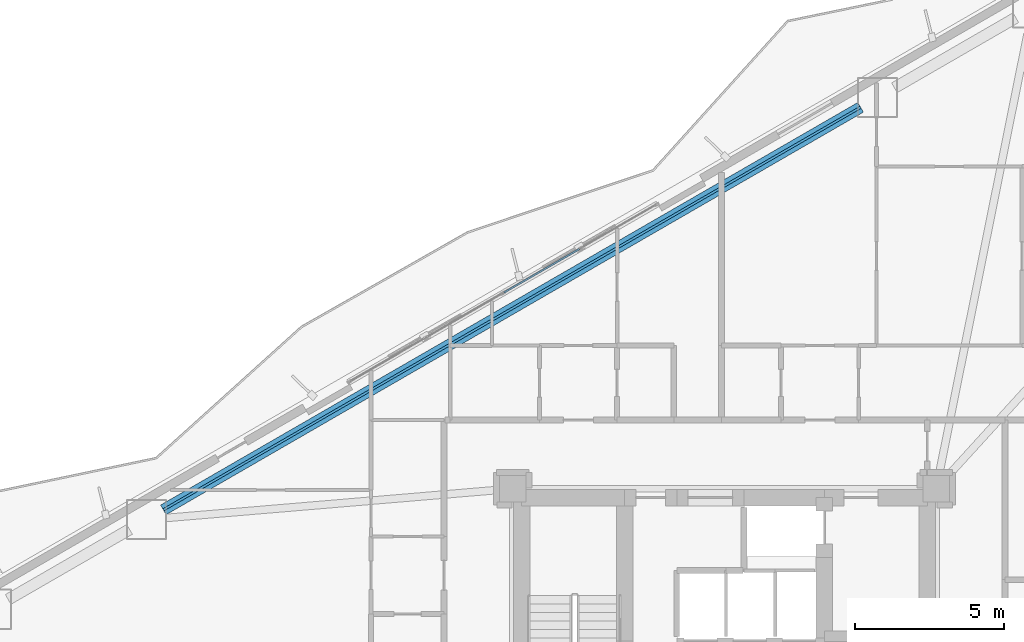
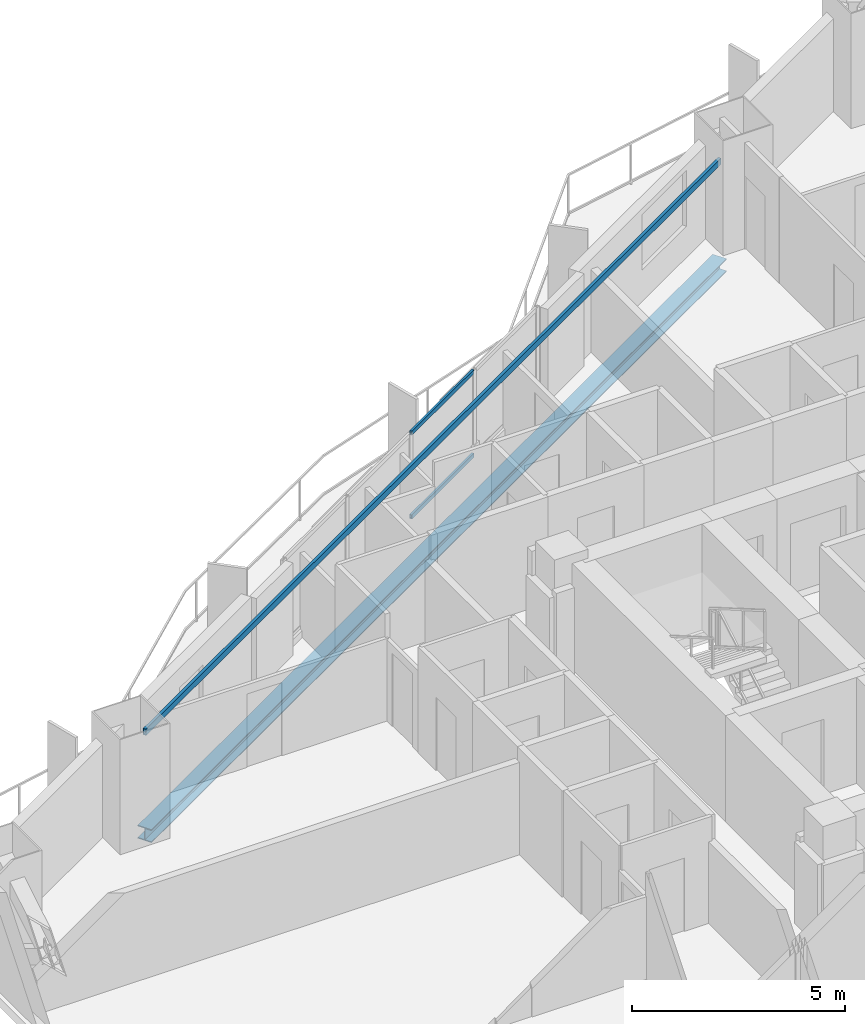
# One storey, part 8 of 18: 2 beams, 2 members, 1 element without a shape of its own.
"""IFC4 building model written with IfcOpenShell, lengths in metres."""

from ifc_helpers import new_model, si_unit, direction, frame, origin, origin_2d, place, context, subcontext, project, spatial, hollow_rectangle, i_section, extrude, material, layer, layer_set, material_profile, profile_set, type_object, element, aggregate, save


model = new_model("IFC4")

# Units and contexts
model_context = context("Model", 3, precision=1e-05, world=origin(), true_north=direction((0.0, 1.0)))
body_context = subcontext(model_context, "Body", "Model", "MODEL_VIEW")
ifc_project = project(units=[si_unit("LENGTHUNIT", "METRE"), si_unit("AREAUNIT", "SQUARE_METRE"), si_unit("VOLUMEUNIT", "CUBIC_METRE"), si_unit("PLANEANGLEUNIT", "RADIAN"), si_unit("MASSUNIT", "GRAM", prefix="KILO")], contexts=[model_context])

# Site, building, storey
site_placement = place(None, origin())
site = spatial("IfcSite", under=ifc_project, at=site_placement, CompositionType="ELEMENT")
building_placement = place(site_placement, origin())
building = spatial("IfcBuilding", under=site, at=building_placement, Name="Mersakhor Tower and Convention Hall", CompositionType="ELEMENT")
storey_placement = place(building_placement, frame((0.0, 0.0, 39.0)))
storey = spatial("IfcBuildingStorey", under=building, at=storey_placement, Name="L10", CompositionType="ELEMENT", Elevation=39.0)

# Beams
ifc_material_1 = material(Name="Steel S355", Category="steel")
ifc_material_profile_1 = material_profile(ifc_material_1, hollow_rectangle(XDim=0.080078125, YDim=0.179931640625, WallThickness=0.008056640625, at=origin_2d()), Name="RHS 180x80x8")
ifc_profile_set_1 = profile_set([ifc_material_profile_1], Name="Steel S355")
beam_type_1 = type_object("IfcBeamType", Name="BM-GRT-RHS180", PredefinedType="USERDEFINED", material=ifc_profile_set_1)
beam_1_placement = place(storey_placement, frame((10.183837890625, 32.341064453125, 2.47998046875), z_axis=(0.866025970279, 0.499999018801, 0.0), x_axis=(-0.499999018801, 0.866025970279, 0.0)))
element("IfcBeam", 1, at=beam_1_placement, inside=storey, type_object=beam_type_1, Name="L10 Facade Support Girt GRT-F1", ObjectType="GIRT", PredefinedType="USERDEFINED", context=body_context, shape_type="SweptSolid", body=[
    extrude(hollow_rectangle(XDim=0.080078125, YDim=0.179931640625, WallThickness=0.008056640625, at=origin_2d()), origin(), (0.0, 0.0, 1.0), 26.99951171875),
])
ifc_material_2 = material(Name="Steel S355", Category="steel")
ifc_material_profile_2 = material_profile(ifc_material_2, i_section(OverallWidth=0.374755859375, OverallDepth=0.37451171875, WebThickness=0.0166015625, FlangeThickness=0.027099609375, at=origin_2d()), Name="UC 356x368x202")
ifc_profile_set_2 = profile_set([ifc_material_profile_2], Name="Steel S355")
beam_type_2 = type_object("IfcBeamType", Name="BM-SPD-UC356", PredefinedType="SPANDREL", material=ifc_profile_set_2)
beam_2_placement = place(storey_placement, frame((10.183837890625, 32.341064453125, -0.447265625), z_axis=(0.866025970279, 0.499999018801, 0.0), x_axis=(-0.499999018801, 0.866025970279, 0.0)))
element("IfcBeam", 2, at=beam_2_placement, inside=storey, type_object=beam_type_2, Name="L10 Perimeter Spandrel Beam SPB-02", PredefinedType="SPANDREL", context=body_context, shape_type="SweptSolid", body=[
    extrude(i_section(OverallWidth=0.374755859375, OverallDepth=0.37451171875, WebThickness=0.0166015625, FlangeThickness=0.027099609375, at=origin_2d()), origin(), (0.0, 0.0, 1.0), 26.99951171875),
])

# Curtain wall, members
ifc_material_3 = material(Name="Dark solar low-E aluminium curtain wall", Category="aluminium")
ifc_layer = layer(ifc_material_3, 0.159912109375)
ifc_layer_set = layer_set([ifc_layer], Name="Dark solar low-E aluminium curtain wall")
curtain_wall_type = type_object("IfcCurtainWallType", Name="CW-SYS-01", PredefinedType="USERDEFINED", material=ifc_layer_set)
curtain_wall_placement = place(storey_placement, origin())
curtain_wall = element("IfcCurtainWall", 3, at=curtain_wall_placement, inside=storey, type_object=curtain_wall_type, Name="L10 Dark-Glass Curtain Wall F1-B2", ObjectType="CURTAIN WALL", PredefinedType="USERDEFINED")
ifc_material_4 = material(Name="Anodised aluminium EN AW-6063 T6", Category="aluminium")
ifc_material_profile_3 = material_profile(ifc_material_4, hollow_rectangle(XDim=0.06005859375, YDim=0.1201171875, WallThickness=0.0048828125, at=origin_2d()), Name="RHS 120x60x5")
ifc_profile_set_3 = profile_set([ifc_material_profile_3], Name="Anodised aluminium EN AW-6063 T6")
member_type = type_object("IfcMemberType", Name="CWT-120x60", PredefinedType="USERDEFINED", material=ifc_profile_set_3)
member_1_placement = place(storey_placement, frame((21.607421875, 39.629150390625, 0.22998046875), z_axis=(0.866015622527, 0.500016941252, 0.0), x_axis=(-0.500016941252, 0.866015622527, 0.0)))
member_1 = element("IfcMember", 4, at=member_1_placement, type_object=member_type, Name="CW-01 transom 3.1", ObjectType="TRANSOM", PredefinedType="USERDEFINED", context=body_context, shape_type="SweptSolid", body=[
    extrude(hollow_rectangle(XDim=0.06005859375, YDim=0.1201171875, WallThickness=0.0048828125, at=origin_2d()), origin(), (0.0, 0.0, 1.0), 2.91845703125),
])
member_2_placement = place(storey_placement, frame((21.607421875, 39.629150390625, 2.6298828125), z_axis=(0.866015622527, 0.500016941252, 0.0), x_axis=(-0.500016941252, 0.866015622527, 0.0)))
member_2 = element("IfcMember", 5, at=member_2_placement, type_object=member_type, Name="CW-01 transom 3.2", ObjectType="TRANSOM", PredefinedType="USERDEFINED", context=body_context, shape_type="SweptSolid", body=[
    extrude(hollow_rectangle(XDim=0.06005859375, YDim=0.1201171875, WallThickness=0.0048828125, at=origin_2d()), origin(), (0.0, 0.0, 1.0), 2.91845703125),
])
aggregate(curtain_wall, [member_1, member_2])

save(model, "model.ifc")
